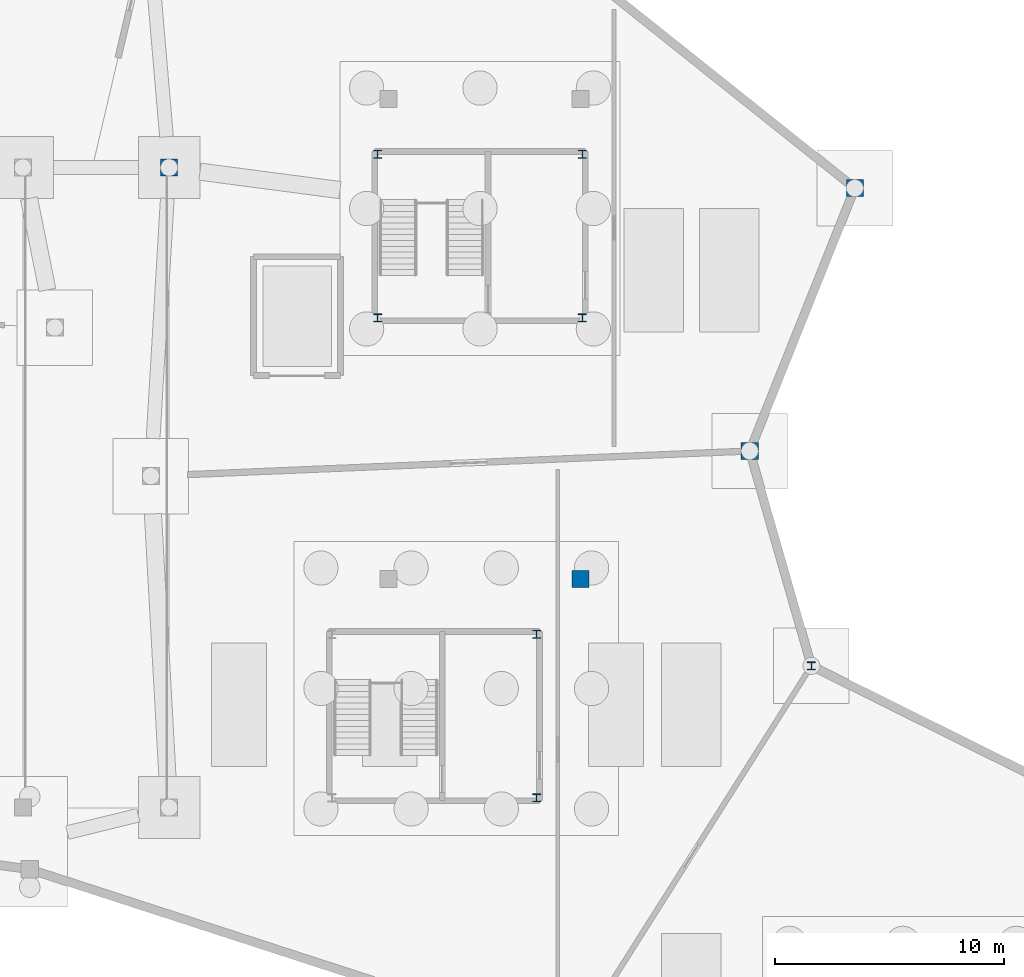
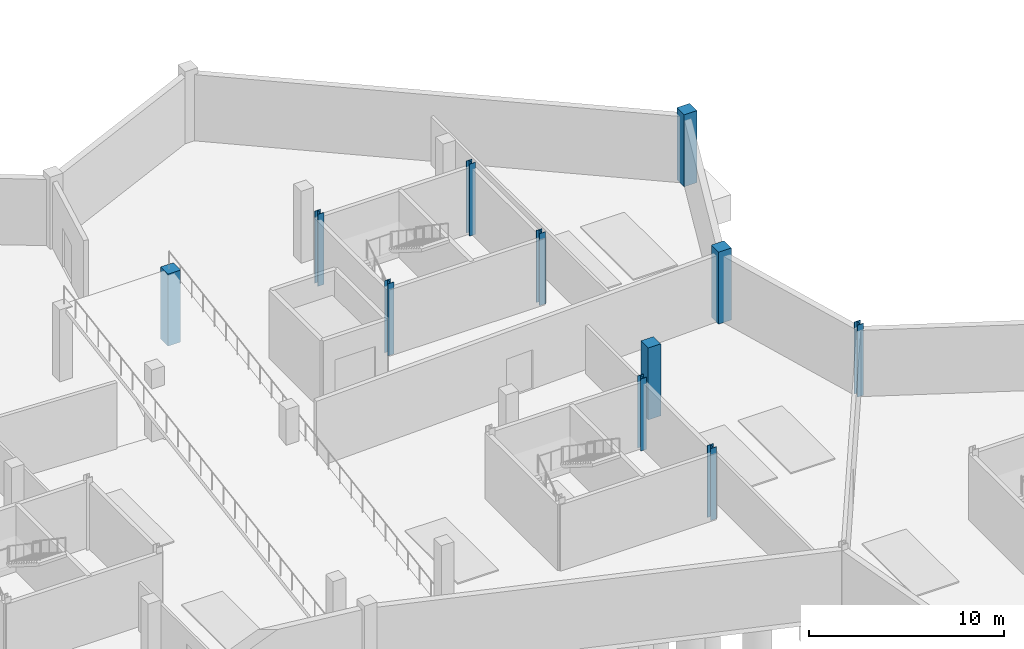
# One storey, part 16 of 37: 11 columns.
"""IFC4 building model written with IfcOpenShell, lengths in metres."""

from ifc_helpers import new_model, si_unit, direction, frame, origin, origin_2d, place, context, subcontext, project, spatial, rectangle, i_section, extrude, material, material_profile, profile_set, type_object, element, save


model = new_model("IFC4")

# Units and contexts
model_context = context("Model", 3, precision=1e-05, world=origin(), true_north=direction((0.0, 1.0)))
body_context = subcontext(model_context, "Body", "Model", "MODEL_VIEW")
ifc_project = project(units=[si_unit("LENGTHUNIT", "METRE"), si_unit("AREAUNIT", "SQUARE_METRE"), si_unit("VOLUMEUNIT", "CUBIC_METRE"), si_unit("PLANEANGLEUNIT", "RADIAN"), si_unit("MASSUNIT", "GRAM", prefix="KILO")], contexts=[model_context])

# Site, building, storey
site_placement = place(None, origin())
site = spatial("IfcSite", under=ifc_project, at=site_placement, CompositionType="ELEMENT")
building_placement = place(site_placement, origin())
building = spatial("IfcBuilding", under=site, at=building_placement, Name="Tameran Prism Museum", CompositionType="ELEMENT")
storey_placement = place(building_placement, frame((0.0, 0.0, -4.5)))
storey = spatial("IfcBuildingStorey", under=building, at=storey_placement, Name="B1", CompositionType="ELEMENT", Elevation=-4.5)

# Columns
ifc_material_1 = material(Name="Concrete N50 (50 MPa)", Category="concrete")
ifc_material_profile_1 = material_profile(ifc_material_1, rectangle(XDim=0.75, YDim=0.75, at=origin_2d()))
ifc_profile_set_1 = profile_set([ifc_material_profile_1])
column_type_1 = type_object("IfcColumnType", Name="COL-RC750", PredefinedType="COLUMN", material=ifc_profile_set_1)
for number, where, z_axis, x_axis, name in (
    (1, (57.800048828125, 82.60009765625, 0.0), (0.0, 0.0, 1.0), (1.0, 0.0, 0.0), "Column CV-29 B1"),
    (2, (62.39990234375, 94.10009765625, 0.0), (0.0, 0.0, 1.0), (1.0, 0.0, 0.0), "Column CV-31 B1"),
    (3, (50.39990234375, 77.0, 0.0), (0.0, 0.0, 1.0), (1.0, 0.0, 0.0), "Column CI-02 B1"),
    (4, (32.39990234375, 95.0, 0.0), (0.0, 0.0, 1.0), (1.0, 0.0, 0.0), "Column CR-R4 B1"),
):
    element("IfcColumn", number, at=place(storey_placement, frame(where, z_axis=z_axis, x_axis=x_axis)), inside=storey, type_object=column_type_1, Name=name, PredefinedType="COLUMN", context=body_context, shape_type="SweptSolid", body=[
        extrude(rectangle(XDim=0.75, YDim=0.75, at=origin_2d()), origin(), (0.0, 0.0, 1.0), 4.5),
    ])
ifc_material_2 = material(Name="Steel Grade 350 (350 MPa)", Category="steel")
ifc_material_profile_2 = material_profile(ifc_material_2, i_section(OverallWidth=0.35009765625, OverallDepth=0.35009765625, WebThickness=0.02001953125, FlangeThickness=0.028076171875, at=origin_2d()))
ifc_profile_set_2 = profile_set([ifc_material_profile_2])
column_type_2 = type_object("IfcColumnType", Name="COL-WC350", PredefinedType="COLUMN", material=ifc_profile_set_2)
for number, where, z_axis, x_axis, name in (
    (5, (60.5, 73.199951171875, 0.0), (0.0, 0.0, 1.0), (1.0, 0.0, 0.0), "Column CV-30 B1"),
    (6, (48.47998046875, 67.419921875, 0.0), (0.0, 0.0, 1.0), (1.0, 0.0, 0.0), "Column CC-5-2 B1"),
    (7, (48.47998046875, 74.580078125, 0.0), (0.0, 0.0, 1.0), (1.0, 0.0, 0.0), "Column CC-5-3 B1"),
    (8, (41.52001953125, 88.419921875, 0.0), (0.0, 0.0, 1.0), (1.0, 0.0, 0.0), "Column CC-14-1 B1"),
    (9, (50.47998046875, 88.419921875, 0.0), (0.0, 0.0, 1.0), (1.0, 0.0, 0.0), "Column CC-14-2 B1"),
    (10, (50.47998046875, 95.580078125, 0.0), (0.0, 0.0, 1.0), (1.0, 0.0, 0.0), "Column CC-14-3 B1"),
    (11, (41.52001953125, 95.580078125, 0.0), (0.0, 0.0, 1.0), (1.0, 0.0, 0.0), "Column CC-14-4 B1"),
):
    element("IfcColumn", number, at=place(storey_placement, frame(where, z_axis=z_axis, x_axis=x_axis)), inside=storey, type_object=column_type_2, Name=name, PredefinedType="COLUMN", context=body_context, shape_type="SweptSolid", body=[
        extrude(i_section(OverallWidth=0.35009765625, OverallDepth=0.35009765625, WebThickness=0.02001953125, FlangeThickness=0.028076171875, at=origin_2d()), origin(), (0.0, 0.0, 1.0), 4.5),
    ])

save(model, "model.ifc")
